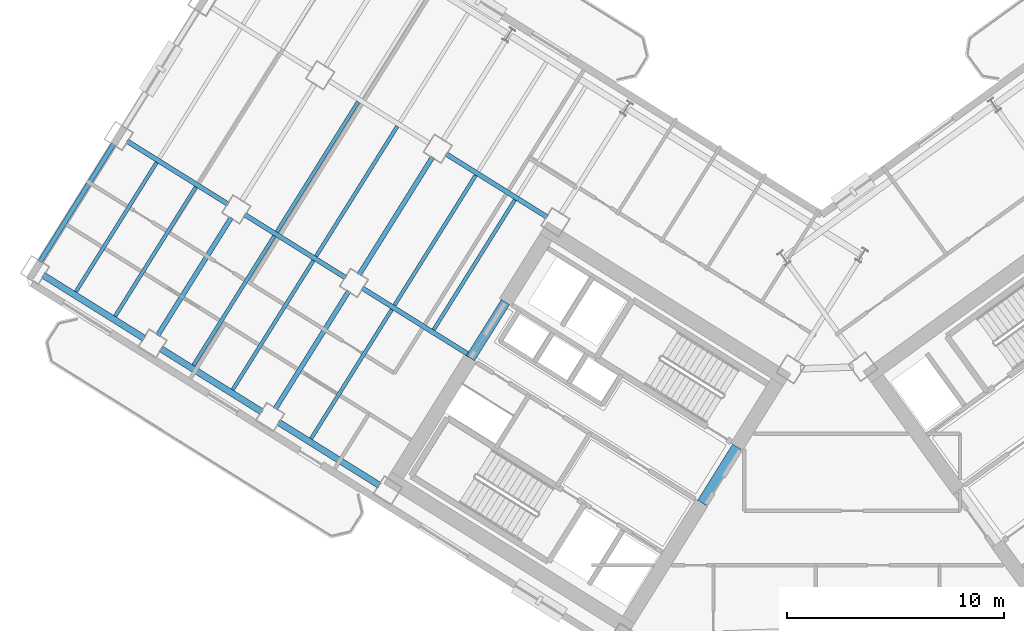
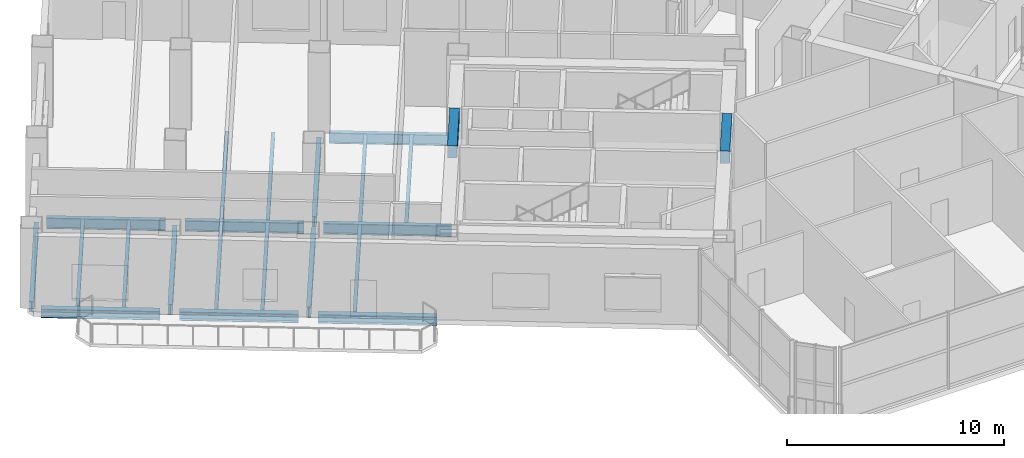
# One storey, part 5 of 19: 22 beams.
"""IFC4 building model written with IfcOpenShell, lengths in metres."""

from ifc_helpers import new_model, si_unit, direction, frame, origin, origin_2d, place, context, subcontext, project, spatial, rectangle, i_section, extrude, source, transform, mapped, material, material_profile, profile_set, type_object, element, save


model = new_model("IFC4")

# Units and contexts
model_context = context("Model", 3, precision=1e-05, world=origin(), true_north=direction((0.0, 1.0)))
body_context = subcontext(model_context, "Body", "Model", "MODEL_VIEW")
ifc_project = project(units=[si_unit("LENGTHUNIT", "METRE"), si_unit("AREAUNIT", "SQUARE_METRE"), si_unit("VOLUMEUNIT", "CUBIC_METRE"), si_unit("PLANEANGLEUNIT", "RADIAN"), si_unit("MASSUNIT", "GRAM", prefix="KILO")], contexts=[model_context])

# Site, building, storey
site_placement = place(None, origin())
site = spatial("IfcSite", under=ifc_project, at=site_placement, CompositionType="ELEMENT")
building_placement = place(site_placement, origin())
building = spatial("IfcBuilding", under=site, at=building_placement, Name="Tlacorven Tower", CompositionType="ELEMENT")
storey_placement = place(building_placement, frame((0.0, 0.0, 76.5)))
storey = spatial("IfcBuildingStorey", under=building, at=storey_placement, Name="L19", CompositionType="ELEMENT", Elevation=76.5)

# Beams
ifc_material_1 = material(Name="Concrete C60/75", Category="concrete")
ifc_material_profile_1 = material_profile(ifc_material_1, rectangle(XDim=0.449951171875, YDim=0.699951171875, at=origin_2d()), Name="RC 450X700")
ifc_profile_set_1 = profile_set([ifc_material_profile_1], Name="Concrete C60/75")
beam_type_1 = type_object("IfcBeamType", Name="BM-LNT-700", PredefinedType="LINTEL", material=ifc_profile_set_1)
shared_shape_1 = source(origin(), body_context, "Body", "SweptSolid", [
    extrude(rectangle(XDim=0.449951171875, YDim=0.699951171875, at=origin_2d()), origin(), (0.0, 0.0, 1.0), 3.050048828125),
])
beam_1_placement = place(storey_placement, frame((38.2998046875, 20.890625, 3.89990234375), z_axis=(-0.529984549635, -0.848007297815, 0.0), x_axis=(0.848007297815, -0.529984549635, 0.0)))
element("IfcBeam", 1, at=beam_1_placement, inside=storey, type_object=beam_type_1, Name="L19 W core coupling lintel beam E1", PredefinedType="LINTEL", context=body_context, shape_type="MappedRepresentation", body=[
    mapped(shared_shape_1, transform((0.0, 0.0, 0.0), scale=1.0)),
])
shared_shape_2 = source(origin(), body_context, "Body", "SweptSolid", [
    extrude(rectangle(XDim=0.449951171875, YDim=0.699951171875, at=origin_2d()), origin(), (0.0, 0.0, 1.0), 3.0498046875),
])
beam_2_placement = place(storey_placement, frame((27.622802734375, 27.562255859375, 3.89990234375), z_axis=(-0.529926983584, -0.848043272522, 0.0), x_axis=(0.848043272522, -0.529926983584, 0.0)))
element("IfcBeam", 2, at=beam_2_placement, inside=storey, type_object=beam_type_1, Name="L19 W core coupling lintel beam E2", PredefinedType="LINTEL", context=body_context, shape_type="MappedRepresentation", body=[
    mapped(shared_shape_2, transform((0.0, 0.0, 0.0), scale=1.0)),
])
ifc_material_2 = material(Name="Steel S355J2", Category="steel")
ifc_material_profile_2 = material_profile(ifc_material_2, i_section(OverallWidth=0.300048828125, OverallDepth=0.489990234375, WebThickness=0.011962890625, FlangeThickness=0.02294921875, at=origin_2d()), Name="HEA 500")
ifc_profile_set_2 = profile_set([ifc_material_profile_2], Name="Steel S355J2")
beam_type_2 = type_object("IfcBeamType", Name="BM-SPN-500", PredefinedType="SPANDREL", material=ifc_profile_set_2)
shared_shape_3 = source(origin(), body_context, "Body", "SweptSolid", [
    extrude(i_section(OverallWidth=0.300048828125, OverallDepth=0.489990234375, WebThickness=0.011962890625, FlangeThickness=0.02294921875, at=origin_2d()), origin(), (0.0, 0.0, 1.0), 5.5),
])
for number, where, z_axis, x_axis, name in (
    (3, (21.8095703125, 19.1083984375, -0.52490234375), (-0.848050668838, 0.52991514706, 0.0), (-0.52991514706, -0.848050668838, 0.0), "L19 beam BM-L19-WL4-3"),
    (4, (16.382080078125, 22.499755859375, -0.52490234375), (-0.848050668838, 0.52991514706, 0.0), (-0.52991514706, -0.848050668838, 0.0), "L19 beam BM-L19-WL4-4"),
    (5, (10.95458984375, 25.891357421875, -0.52490234375), (-0.848050668838, 0.52991514706, 0.0), (-0.52991514706, -0.848050668838, 0.0), "L19 beam BM-L19-WL4-5"),
):
    element("IfcBeam", number, at=place(storey_placement, frame(where, z_axis=z_axis, x_axis=x_axis)), inside=storey, type_object=beam_type_2, Name=name, PredefinedType="SPANDREL", context=body_context, shape_type="MappedRepresentation", body=[
        mapped(shared_shape_3, transform((0.0, 0.0, 0.0), scale=1.0)),
    ])
ifc_material_profile_3 = material_profile(ifc_material_2, i_section(OverallWidth=0.219970703125, OverallDepth=0.60009765625, WebThickness=0.011962890625, FlangeThickness=0.01904296875, at=origin_2d()), Name="IPE 600")
ifc_profile_set_3 = profile_set([ifc_material_profile_3], Name="Steel S355J2")
beam_type_3 = type_object("IfcBeamType", Name="BM-TWR-600", PredefinedType="BEAM", material=ifc_profile_set_3)
shared_shape_4 = source(origin(), body_context, "Body", "SweptSolid", [
    extrude(i_section(OverallWidth=0.219970703125, OverallDepth=0.60009765625, WebThickness=0.011962890625, FlangeThickness=0.01904296875, at=origin_2d()), origin(), (0.0, 0.0, 1.0), 5.909912109375),
])
beam_3_placement = place(storey_placement, frame((26.025634765625, 25.081787109375, -0.580078125), z_axis=(-0.848047036595, 0.529920959883, 0.0), x_axis=(-0.529920959883, -0.848047036595, 0.0)))
element("IfcBeam", 6, at=beam_3_placement, inside=storey, type_object=beam_type_3, Name="L19 beam BM-L19-WL3-3", PredefinedType="BEAM", context=body_context, shape_type="MappedRepresentation", body=[
    mapped(shared_shape_4, transform((0.0, 0.0, 0.0), scale=1.0)),
])
shared_shape_5 = source(origin(), body_context, "Body", "SweptSolid", [
    extrude(i_section(OverallWidth=0.219970703125, OverallDepth=0.60009765625, WebThickness=0.011962890625, FlangeThickness=0.01904296875, at=origin_2d()), origin(), (0.0, 0.0, 1.0), 5.5),
])
for number, where, z_axis, x_axis, name in (
    (7, (29.54638671875, 31.48974609375, -0.580078125), (-0.848050668838, 0.52991514706, 0.0), (-0.52991514706, -0.848050668838, 0.0), "L19 beam BM-L19-WL2-3"),
    (8, (20.25048828125, 28.690673828125, -0.580078125), (-0.848050668838, 0.52991514706, 0.0), (-0.52991514706, -0.848050668838, 0.0), "L19 beam BM-L19-WL3-4"),
    (9, (14.822998046875, 32.08203125, -0.580078125), (-0.848050668838, 0.52991514706, 0.0), (-0.52991514706, -0.848050668838, 0.0), "L19 beam BM-L19-WL3-5"),
):
    element("IfcBeam", number, at=place(storey_placement, frame(where, z_axis=z_axis, x_axis=x_axis)), inside=storey, type_object=beam_type_3, Name=name, PredefinedType="BEAM", context=body_context, shape_type="MappedRepresentation", body=[
        mapped(shared_shape_5, transform((0.0, 0.0, 0.0), scale=1.0)),
    ])
shared_shape_6 = source(origin(), body_context, "Body", "SweptSolid", [
    extrude(i_section(OverallWidth=0.219970703125, OverallDepth=0.60009765625, WebThickness=0.011962890625, FlangeThickness=0.01904296875, at=origin_2d()), origin(), (0.0, 0.0, 1.0), 6.39990234375),
])
for number, where, z_axis, x_axis, name in (
    (10, (24.261962890625, 34.26123046875, -0.580078125), (-0.529906354247, -0.848056163074, 0.0), (0.848056163074, -0.529906354247, 0.0), "L19 beam BM-L19-WT4-2"),
    (11, (20.3935546875, 28.070556640625, -0.580078125), (-0.529906354247, -0.848056163074, 0.0), (0.848056163074, -0.529906354247, 0.0), "L19 beam BM-L19-WT4-3"),
):
    element("IfcBeam", number, at=place(storey_placement, frame(where, z_axis=z_axis, x_axis=x_axis)), inside=storey, type_object=beam_type_3, Name=name, PredefinedType="BEAM", context=body_context, shape_type="MappedRepresentation", body=[
        mapped(shared_shape_6, transform((0.0, 0.0, 0.0), scale=1.0)),
    ])
shared_shape_7 = source(origin(), body_context, "Body", "SweptSolid", [
    extrude(i_section(OverallWidth=0.219970703125, OverallDepth=0.60009765625, WebThickness=0.011962890625, FlangeThickness=0.01904296875, at=origin_2d()), origin(), (0.0, 0.0, 1.0), 6.400146484375),
])
for number, where, z_axis, x_axis, name in (
    (12, (14.966064453125, 31.4619140625, -0.580078125), (-0.529933789039, -0.848039019877, 0.0), (0.848039019877, -0.529933789039, 0.0), "L19 beam BM-L19-WT5-3"),
    (13, (9.53857421875, 34.853515625, -0.580078125), (-0.529933789039, -0.848039019877, 0.0), (0.848039019877, -0.529933789039, 0.0), "L19 beam BM-L19-WT6-3"),
):
    element("IfcBeam", number, at=place(storey_placement, frame(where, z_axis=z_axis, x_axis=x_axis)), inside=storey, type_object=beam_type_3, Name=name, PredefinedType="BEAM", context=body_context, shape_type="MappedRepresentation", body=[
        mapped(shared_shape_7, transform((0.0, 0.0, 0.0), scale=1.0)),
    ])
ifc_material_profile_4 = material_profile(ifc_material_2, i_section(OverallWidth=0.169921875, OverallDepth=0.360107421875, WebThickness=0.008056640625, FlangeThickness=0.0126953125, at=origin_2d()), Name="IPE 360")
ifc_profile_set_4 = profile_set([ifc_material_profile_4], Name="Steel S355J2")
beam_type_4 = type_object("IfcBeamType", Name="BM-JST-360", PredefinedType="JOIST", material=ifc_profile_set_4)
shared_shape_8 = source(origin(), body_context, "Body", "SweptSolid", [
    extrude(i_section(OverallWidth=0.169921875, OverallDepth=0.360107421875, WebThickness=0.008056640625, FlangeThickness=0.0126953125, at=origin_2d()), origin(), (0.0, 0.0, 1.0), 7.070068359375),
])
for number, where, z_axis, x_axis, name in (
    (14, (28.057861328125, 32.284423828125, -0.4599609375), (-0.529915131461, -0.848050678585, 0.0), (0.848050678585, -0.529915131461, 0.0), "L19 beam BM-L19-WJ3-2-1"),
    (15, (22.63037109375, 35.67578125, -0.4599609375), (-0.529930649952, -0.848040981463, 0.0), (0.848040981463, -0.529930649952, 0.0), "L19 beam BM-L19-WJ4-2-1"),
    (16, (20.821044921875, 36.806396484375, -0.4599609375), (-0.529890296319, -0.84806619663, 0.0), (0.84806619663, -0.529890296319, 0.0), "L19 beam BM-L19-WJ4-2-2"),
):
    element("IfcBeam", number, at=place(storey_placement, frame(where, z_axis=z_axis, x_axis=x_axis)), inside=storey, type_object=beam_type_4, Name=name, PredefinedType="JOIST", context=body_context, shape_type="MappedRepresentation", body=[
        mapped(shared_shape_8, transform((0.0, 0.0, 0.0), scale=1.0)),
    ])
shared_shape_9 = source(origin(), body_context, "Body", "SweptSolid", [
    extrude(i_section(OverallWidth=0.169921875, OverallDepth=0.360107421875, WebThickness=0.008056640625, FlangeThickness=0.0126953125, at=origin_2d()), origin(), (0.0, 0.0, 1.0), 7.06982421875),
])
beam_4_placement = place(storey_placement, frame((26.24853515625, 33.414794921875, -0.4599609375), z_axis=(-0.52990581465, -0.84805650024, 0.0), x_axis=(0.84805650024, -0.52990581465, 0.0)))
element("IfcBeam", 17, at=beam_4_placement, inside=storey, type_object=beam_type_4, Name="L19 beam BM-L19-WJ3-2-2", PredefinedType="JOIST", context=body_context, shape_type="MappedRepresentation", body=[
    mapped(shared_shape_9, transform((0.0, 0.0, 0.0), scale=1.0)),
])
shared_shape_10 = source(origin(), body_context, "Body", "SweptSolid", [
    extrude(i_section(OverallWidth=0.169921875, OverallDepth=0.360107421875, WebThickness=0.008056640625, FlangeThickness=0.0126953125, at=origin_2d()), origin(), (0.0, 0.0, 1.0), 7.030029296875),
])
for number, where, z_axis, x_axis, name in (
    (18, (22.380126953125, 27.22412109375, -0.4599609375), (-0.529911532383, -0.848052927504, 0.0), (0.848052927504, -0.529911532383, 0.0), "L19 beam BM-L19-WJ3-3-2"),
    (19, (18.761962890625, 29.485107421875, -0.4599609375), (-0.529911532383, -0.848052927504, 0.0), (0.848052927504, -0.529911532383, 0.0), "L19 beam BM-L19-WJ4-3-1"),
    (20, (16.95263671875, 30.615478515625, -0.4599609375), (-0.529927139185, -0.84804317529, 0.0), (0.84804317529, -0.529927139185, 0.0), "L19 beam BM-L19-WJ4-3-2"),
    (21, (13.33447265625, 32.87646484375, -0.4599609375), (-0.529927139185, -0.84804317529, 0.0), (0.84804317529, -0.529927139185, 0.0), "L19 beam BM-L19-WJ5-3-1"),
    (22, (11.525146484375, 34.007080078125, -0.4599609375), (-0.529911532383, -0.848052927504, 0.0), (0.848052927504, -0.529911532383, 0.0), "L19 beam BM-L19-WJ5-3-2"),
):
    element("IfcBeam", number, at=place(storey_placement, frame(where, z_axis=z_axis, x_axis=x_axis)), inside=storey, type_object=beam_type_4, Name=name, PredefinedType="JOIST", context=body_context, shape_type="MappedRepresentation", body=[
        mapped(shared_shape_10, transform((0.0, 0.0, 0.0), scale=1.0)),
    ])

save(model, "model.ifc")
